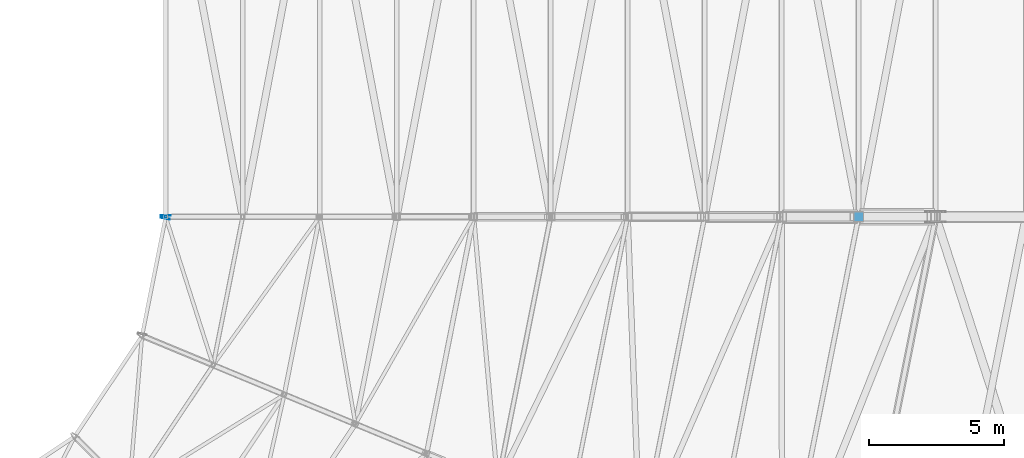
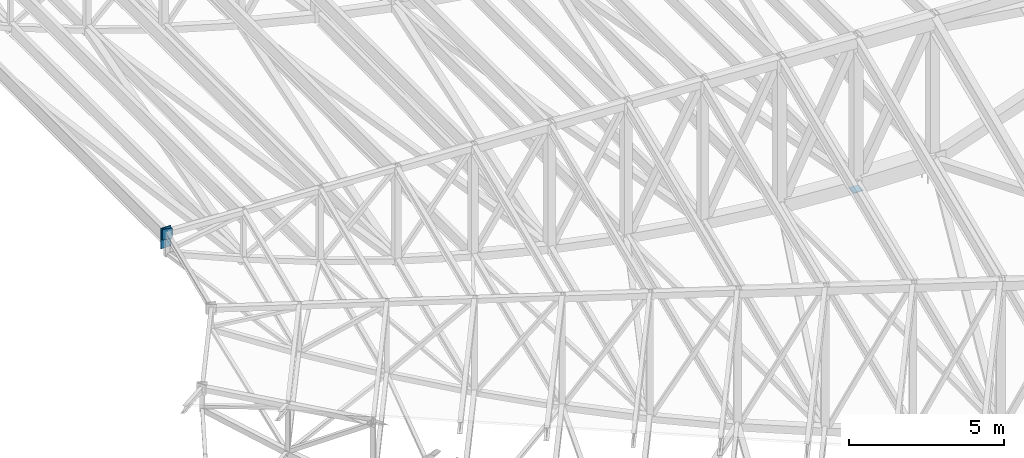
# One storey, part 182 of 278: 3 discrete accessories.
"""IFC4 building model written with IfcOpenShell, lengths in metres."""

from ifc_helpers import new_model, si_unit, direction, frame, origin, origin_2d, place, context, subcontext, project, spatial, rectangle, extrude, material, layer, layer_set, type_object, element, save


model = new_model("IFC4")

# Units and contexts
model_context = context("Model", 3, precision=1e-05, world=origin(), true_north=direction((0.0, 1.0)))
body_context = subcontext(model_context, "Body", "Model", "MODEL_VIEW")
ifc_project = project(units=[si_unit("LENGTHUNIT", "METRE"), si_unit("AREAUNIT", "SQUARE_METRE"), si_unit("VOLUMEUNIT", "CUBIC_METRE"), si_unit("PLANEANGLEUNIT", "RADIAN"), si_unit("MASSUNIT", "GRAM", prefix="KILO")], contexts=[model_context])

# Site, building, storey
site_placement = place(None, origin())
site = spatial("IfcSite", under=ifc_project, at=site_placement, CompositionType="ELEMENT")
building_placement = place(site_placement, origin())
building = spatial("IfcBuilding", under=site, at=building_placement, Name="Ogive Plaza Stadium", CompositionType="ELEMENT")
storey_placement = place(building_placement, frame((0.0, 0.0, 29.0)))
storey = spatial("IfcBuildingStorey", under=building, at=storey_placement, Name="Roof", CompositionType="ELEMENT", Elevation=29.0)

# Discrete accessories
ifc_material_1 = material(Name="Steel ASTM A992 Grade 50", Category="steel")
ifc_layer_1 = layer(ifc_material_1, 0.030029296875)
ifc_layer_set_1 = layer_set([ifc_layer_1], Name="Steel ASTM A992 Grade 50")
discrete_accessory_type_1 = type_object("IfcDiscreteAccessoryType", Name="Ring beam end plate 30", PredefinedType="ANCHORPLATE", material=ifc_layer_set_1)
discrete_accessory_1_placement = place(storey_placement, frame((45.5, -52.453857421875, 6.7265625), z_axis=(0.0, 0.0, 1.0), x_axis=(0.0, -1.0, 0.0)))
element("IfcDiscreteAccessory", 1, at=discrete_accessory_1_placement, inside=storey, type_object=discrete_accessory_type_1, Name="RING BEAM END PLATE B07 2", PredefinedType="ANCHORPLATE", context=body_context, shape_type="SweptSolid", body=[
    extrude(rectangle(XDim=0.030029296875, YDim=0.3779296875, at=origin_2d()), origin(), (0.0, 0.0, 1.0), 0.798583984375),
])
discrete_accessory_2_placement = place(storey_placement, frame((45.488037109375, -52.559814453125, 7.1181640625), z_axis=(0.0, 0.0, 1.0), x_axis=(-0.195090321862, -0.980785280434, 0.0)))
element("IfcDiscreteAccessory", 2, at=discrete_accessory_2_placement, inside=storey, type_object=discrete_accessory_type_1, Name="RING BEAM END PLATE B08 1", PredefinedType="ANCHORPLATE", context=body_context, shape_type="SweptSolid", body=[
    extrude(rectangle(XDim=0.030029296875, YDim=0.33349609375, at=origin_2d()), origin(), (0.0, 0.0, 1.0), 0.40673828125),
])
ifc_material_2 = material(Name="Steel ASTM A992 Grade 50", Category="steel")
ifc_layer_2 = layer(ifc_material_2, 0.02001953125)
ifc_layer_set_2 = layer_set([ifc_layer_2], Name="Steel ASTM A992 Grade 50")
discrete_accessory_type_2 = type_object("IfcDiscreteAccessoryType", Name="Roof truss post cap plate 20", PredefinedType="ANCHORPLATE", material=ifc_layer_set_2)
discrete_accessory_3_placement = place(storey_placement, frame((71.14990234375, -52.5, 0.04541015625), z_axis=(0.0, 0.0, 1.0), x_axis=(1.0, 0.0, 0.0)))
element("IfcDiscreteAccessory", 3, at=discrete_accessory_3_placement, inside=storey, type_object=discrete_accessory_type_2, Name="ROOF TRUSS POST CAP PLATE 08 10", PredefinedType="ANCHORPLATE", context=body_context, shape_type="SweptSolid", body=[
    extrude(rectangle(XDim=0.355712890625, YDim=0.355712890625, at=origin_2d()), origin(), (0.0, 0.0, 1.0), 0.02001953125),
])

save(model, "model.ifc")
